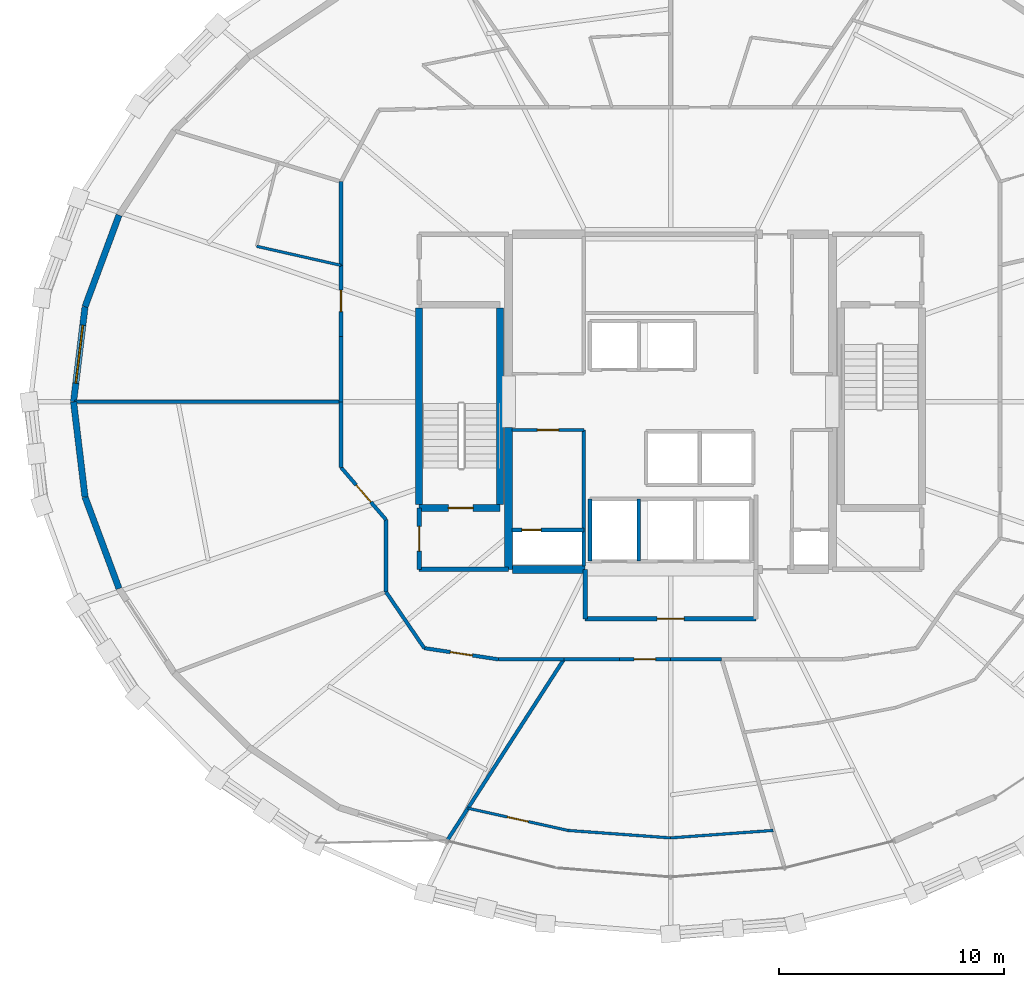
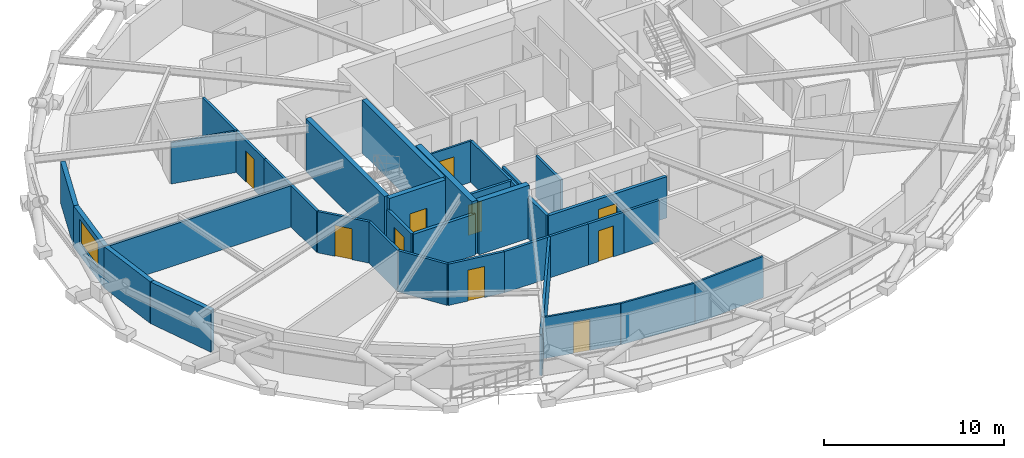
# One storey, part 14 of 21: 36 walls, 10 doors, 1 window, 11 openings.
"""IFC4 building model written with IfcOpenShell, lengths in metres."""

from ifc_helpers import new_model, si_unit, direction, frame, frame_2d, origin, place, context, subcontext, project, spatial, rectangle, extrude, material, layer, layer_set, type_object, element, fill, save


model = new_model("IFC4")

# Units and contexts
model_context = context("Model", 3, precision=1e-05, world=origin(), true_north=direction((0.0, 1.0)))
body_context = subcontext(model_context, "Body", "Model", "MODEL_VIEW")
ifc_project = project(units=[si_unit("LENGTHUNIT", "METRE"), si_unit("AREAUNIT", "SQUARE_METRE"), si_unit("VOLUMEUNIT", "CUBIC_METRE"), si_unit("PLANEANGLEUNIT", "RADIAN"), si_unit("MASSUNIT", "GRAM", prefix="KILO")], contexts=[model_context])

# Site, building, storey
site_placement = place(None, origin())
site = spatial("IfcSite", under=ifc_project, at=site_placement, CompositionType="ELEMENT")
building_placement = place(site_placement, origin())
building = spatial("IfcBuilding", under=site, at=building_placement, Name="Veldorina Hangang Commons", CompositionType="ELEMENT")
storey_placement = place(building_placement, frame((0.0, 0.0, 135.199951171875)))
storey = spatial("IfcBuildingStorey", under=building, at=storey_placement, Name="L34", CompositionType="ELEMENT", Elevation=135.199951171875)

# Walls
ifc_material_1 = material(Name="Concrete C60/75", Category="concrete")
ifc_layer_1 = layer(ifc_material_1, 0.360107421875)
ifc_layer_set_1 = layer_set([ifc_layer_1], Name="Concrete C60/75")
wall_type_1 = type_object("IfcWallType", Name="CW-RC360-C60", PredefinedType="SHEAR", material=ifc_layer_set_1)
wall_1_placement = place(storey_placement, frame((24.800048828125, 16.550048828125, 0.0), z_axis=(0.0, 0.0, 1.0), x_axis=(0.0, 1.0, 0.0)))
element("IfcWall", 1, at=wall_1_placement, inside=storey, type_object=wall_type_1, Name="L34 W south core shear wall", PredefinedType="SHEAR", context=body_context, shape_type="SweptSolid", body=[
    extrude(rectangle(XDim=6.300048828125, YDim=0.360107421875, at=frame_2d((3.14990234375, 0.0))), origin(), (0.0, 0.0, 1.0), 3.60009765625),
])
wall_2_placement = place(storey_placement, frame((24.97998046875, 16.550048828125, 0.0), z_axis=(0.0, 0.0, 1.0), x_axis=(1.0, 0.0, 0.0)))
element("IfcWall", 2, at=wall_2_placement, inside=storey, type_object=wall_type_1, Name="L34 south-west core shear wall", PredefinedType="SHEAR", context=body_context, shape_type="SweptSolid", body=[
    extrude(rectangle(XDim=3.219970703125, YDim=0.360107421875, at=frame_2d((1.60986328125, 0.0))), origin(), (0.0, 0.0, 1.0), 3.60009765625),
])
ifc_material_2 = material(Name="Stone Roman Travertine", Category="masonry")
ifc_layer_2 = layer(ifc_material_2, 0.280029296875)
ifc_layer_set_2 = layer_set([ifc_layer_2], Name="Stone Roman Travertine")
wall_type_2 = type_object("IfcWallType", Name="EW-TRAV-280", PredefinedType="STANDARD", material=ifc_layer_set_2)
wall_3_placement = place(storey_placement, frame((7.47900390625, 32.30078125, 0.0), z_axis=(0.0, 0.0, 1.0), x_axis=(-0.347959140817, -0.937509699321, 0.0)))
element("IfcWall", 3, at=wall_3_placement, inside=storey, type_object=wall_type_2, Name="L34 travertine facade wall 14", PredefinedType="STANDARD", context=body_context, shape_type="SweptSolid", body=[
    extrude(rectangle(XDim=4.34033203125, YDim=0.280029296875, at=frame_2d((2.170166015625, 0.0))), origin(), (0.0, 0.0, 1.0), 2.820068359375),
])

# Wall, opening, window
wall_4_placement = place(storey_placement, frame((5.96875, 28.231689453125, 0.0), z_axis=(0.0, 0.0, 1.0), x_axis=(-0.119655655781, -0.992815453163, 0.0)))
wall_4 = element("IfcWall", 4, at=wall_4_placement, inside=storey, type_object=wall_type_2, Name="L34 travertine facade wall 15", PredefinedType="STANDARD", context=body_context, shape_type="SweptSolid", body=[
    extrude(rectangle(XDim=4.26220703125, YDim=0.280029296875, at=frame_2d((2.131103515625, 0.0))), origin(), (0.0, 0.0, 1.0), 2.820068359375),
])
opening_1_placement = place(wall_4_placement, frame((0.831298828125, 0.0, 0.800048828125)))
opening_1 = element("IfcOpeningElement", 5, at=opening_1_placement, cuts=wall_4, Name="Opening W-02", PredefinedType="OPENING", context=body_context, shape_type="SweptSolid", body=[
    extrude(rectangle(XDim=2.60009765625, YDim=1.64990234375, at=frame_2d((1.300048828125, 0.824951171875))), frame((0.0, 0.14990234375, 0.0), z_axis=(0.0, -1.0, 0.0), x_axis=(1.0, 0.0, 0.0)), (0.0, 0.0, 1.0), 0.300048828125),
])
ifc_material_3 = material(Name="Glass Low-E Triple IGU", Category="glass")
window_type = type_object("IfcWindowType", Name="WIN-TWR-2600", PartitioningType="SINGLE_PANEL", PredefinedType="WINDOW", material=ifc_material_3)
window_placement = place(opening_1_placement, origin())
window = element("IfcWindow", 6, at=window_placement, inside=storey, type_object=window_type, Name="L34 facade window 15", OverallHeight=1.64990234375, OverallWidth=2.60009765625, PartitioningType="SINGLE_PANEL", PredefinedType="WINDOW", context=body_context, shape_type="SweptSolid", body=[
    extrude(rectangle(XDim=2.60009765625, YDim=1.64990234375, at=frame_2d((1.300048828125, 0.824951171875))), frame((0.0, 0.030029296875, 0.0), z_axis=(0.0, -1.0, 0.0), x_axis=(1.0, 0.0, 0.0)), (0.0, 0.0, 1.0), 0.06005859375),
])
fill(opening_1, window)

# Walls
wall_5_placement = place(storey_placement, frame((5.458740234375, 24.0, 0.0), z_axis=(0.0, 0.0, 1.0), x_axis=(0.119655655781, -0.992815453163, 0.0)))
element("IfcWall", 7, at=wall_5_placement, inside=storey, type_object=wall_type_2, Name="L34 travertine facade wall 16", PredefinedType="STANDARD", context=body_context, shape_type="SweptSolid", body=[
    extrude(rectangle(XDim=4.26220703125, YDim=0.280029296875, at=frame_2d((2.131103515625, 0.0))), origin(), (0.0, 0.0, 1.0), 2.820068359375),
])
wall_6_placement = place(storey_placement, frame((5.96875, 19.768310546875, 0.0), z_axis=(0.0, 0.0, 1.0), x_axis=(0.347959140817, -0.937509699321, 0.0)))
element("IfcWall", 8, at=wall_6_placement, inside=storey, type_object=wall_type_2, Name="L34 travertine facade wall 17", PredefinedType="STANDARD", context=body_context, shape_type="SweptSolid", body=[
    extrude(rectangle(XDim=4.34033203125, YDim=0.280029296875, at=frame_2d((2.170166015625, 0.0))), origin(), (0.0, 0.0, 1.0), 2.820068359375),
])
ifc_material_4 = material(Name="Concrete C50/60", Category="concrete")
ifc_layer_3 = layer(ifc_material_4, 0.300048828125)
ifc_layer_set_3 = layer_set([ifc_layer_3], Name="Concrete C50/60")
wall_type_3 = type_object("IfcWallType", Name="SW-STAIR-300", PredefinedType="SHEAR", material=ifc_layer_set_3)
for number, where, z_axis, x_axis, name in (
    (9, (20.820068359375, 19.429931640625, 0.0), (0.0, 0.0, 1.0), (0.0, 1.0, 0.0), "L34 ST1 outer stair shear wall"),
    (10, (24.419921875, 19.429931640625, 0.0), (0.0, 0.0, 1.0), (0.0, 1.0, 0.0), "L34 ST1 inner stair shear wall"),
):
    element("IfcWall", number, at=place(storey_placement, frame(where, z_axis=z_axis, x_axis=x_axis)), inside=storey, type_object=wall_type_3, Name=name, PredefinedType="SHEAR", context=body_context, shape_type="SweptSolid", body=[
        extrude(rectangle(XDim=8.739990234375, YDim=0.300048828125, at=frame_2d((4.3701171875, 0.0))), origin(), (0.0, 0.0, 1.0), 3.60009765625),
    ])

# Wall, opening, door
wall_7_placement = place(storey_placement, frame((20.820068359375, 19.280029296875, 0.0), z_axis=(0.0, 0.0, 1.0), x_axis=(1.0, 0.0, 0.0)))
wall_7 = element("IfcWall", 11, at=wall_7_placement, inside=storey, type_object=wall_type_3, Name="L34 ST1 south stair shear wall", PredefinedType="SHEAR", context=body_context, shape_type="SweptSolid", body=[
    extrude(rectangle(XDim=3.599853515625, YDim=0.300048828125, at=frame_2d((1.7998046875, 0.0))), origin(), (0.0, 0.0, 1.0), 3.60009765625),
])
opening_2_placement = place(wall_7_placement, frame((1.300048828125, 0.0, 0.0)))
opening_2 = element("IfcOpeningElement", 12, at=opening_2_placement, cuts=wall_7, Name="Opening D-08", PredefinedType="OPENING", context=body_context, shape_type="SweptSolid", body=[
    extrude(rectangle(XDim=1.10009765625, YDim=2.10009765625, at=frame_2d((0.550048828125, 1.050048828125))), frame((0.0, 0.16015625, 0.0), z_axis=(0.0, -1.0, 0.0), x_axis=(1.0, 0.0, 0.0)), (0.0, 0.0, 1.0), 0.320068359375),
])
ifc_material_5 = material(Name="Steel Fire-Rated Smoke Seal", Category="steel")
door_type_1 = type_object("IfcDoorType", Name="DR-FIRE-1100", OperationType="SINGLE_SWING_RIGHT", PredefinedType="DOOR", material=ifc_material_5)
door_1_placement = place(opening_2_placement, origin())
door_1 = element("IfcDoor", 13, at=door_1_placement, inside=storey, type_object=door_type_1, Name="L34 Special Escape Stair ST-1 door", OperationType="SINGLE_SWING_LEFT", OverallHeight=2.10009765625, OverallWidth=1.10009765625, PredefinedType="DOOR", context=body_context, shape_type="SweptSolid", body=[
    extrude(rectangle(XDim=1.10009765625, YDim=2.10009765625, at=frame_2d((0.550048828125, 1.050048828125))), frame((0.0, 0.02490234375, 0.0), z_axis=(0.0, -1.0, 0.0), x_axis=(1.0, 0.0, 0.0)), (0.0, 0.0, 1.0), 0.050048828125),
])
fill(opening_2, door_1)

# Walls
ifc_material_6 = material(Name="Gypsum Fire-Rated Twin Stud Wall", Category="gypsum")
ifc_layer_4 = layer(ifc_material_6, 0.159912109375)
ifc_layer_set_4 = layer_set([ifc_layer_4], Name="Gypsum Fire-Rated Twin Stud Wall")
wall_type_4 = type_object("IfcWallType", Name="WL-FIRE-160", PredefinedType="SOLIDWALL", material=ifc_layer_set_4)
for number, where, z_axis, x_axis, name in (
    (14, (28.419921875, 16.919921875, 0.0), (0.0, 0.0, 1.0), (0.0, 1.0, 0.0), "L34 FFL-1 west shaft wall 027"),
    (15, (30.580078125, 16.919921875, 0.0), (0.0, 0.0, 1.0), (0.0, 1.0, 0.0), "L34 FFL-1 east shaft wall 028"),
):
    element("IfcWall", number, at=place(storey_placement, frame(where, z_axis=z_axis, x_axis=x_axis)), inside=storey, type_object=wall_type_4, Name=name, PredefinedType="SOLIDWALL", context=body_context, shape_type="SweptSolid", body=[
        extrude(rectangle(XDim=2.760009765625, YDim=0.159912109375, at=frame_2d((1.3798828125, 0.0))), origin(), (0.0, 0.0, 1.0), 2.800048828125),
    ])

# Wall, opening, door
wall_8_placement = place(storey_placement, frame((24.949951171875, 18.300048828125, 0.0), z_axis=(0.0, 0.0, 1.0), x_axis=(1.0, 0.0, 0.0)))
wall_8 = element("IfcWall", 16, at=wall_8_placement, inside=storey, type_object=wall_type_4, Name="L34 Electrical riser wall 034", PredefinedType="SOLIDWALL", context=body_context, shape_type="SweptSolid", body=[
    extrude(rectangle(XDim=3.199951171875, YDim=0.159912109375, at=frame_2d((1.60009765625, 0.0))), origin(), (0.0, 0.0, 1.0), 2.800048828125),
])
opening_3_placement = place(wall_8_placement, frame((0.43994140625, 0.0, 0.0)))
opening_3 = element("IfcOpeningElement", 17, at=opening_3_placement, cuts=wall_8, Name="Opening D-12", PredefinedType="OPENING", context=body_context, shape_type="SweptSolid", body=[
    extrude(rectangle(XDim=0.860107421875, YDim=2.050048828125, at=frame_2d((0.43017578125, 1.02490234375))), frame((0.0, 0.08984375, 0.0), z_axis=(0.0, -1.0, 0.0), x_axis=(1.0, 0.0, 0.0)), (0.0, 0.0, 1.0), 0.179931640625),
])
ifc_material_7 = material(Name="Steel Insulated Riser Access", Category="steel")
door_type_2 = type_object("IfcDoorType", Name="DR-TRAP-860", OperationType="SINGLE_SWING_LEFT", PredefinedType="TRAPDOOR", material=ifc_material_7)
door_2_placement = place(opening_3_placement, origin())
door_2 = element("IfcDoor", 18, at=door_2_placement, inside=storey, type_object=door_type_2, Name="L34 Electrical riser access door 012", OperationType="SINGLE_SWING_RIGHT", OverallHeight=2.050048828125, OverallWidth=0.860107421875, PredefinedType="TRAPDOOR", context=body_context, shape_type="SweptSolid", body=[
    extrude(rectangle(XDim=0.860107421875, YDim=2.050048828125, at=frame_2d((0.43017578125, 1.02490234375))), frame((0.0, 0.02490234375, 0.0), z_axis=(0.0, -1.0, 0.0), x_axis=(1.0, 0.0, 0.0)), (0.0, 0.0, 1.0), 0.050048828125),
])
fill(opening_3, door_2)

# Walls
wall_9_placement = place(storey_placement, frame((28.14990234375, 16.699951171875, 0.0), z_axis=(0.0, 0.0, 1.0), x_axis=(0.0, 1.0, 0.0)))
element("IfcWall", 19, at=wall_9_placement, inside=storey, type_object=wall_type_4, Name="L34 SW core inner wall 035", PredefinedType="SOLIDWALL", context=body_context, shape_type="SweptSolid", body=[
    extrude(rectangle(XDim=6.050048828125, YDim=0.159912109375, at=frame_2d((3.02490234375, 0.0))), origin(), (0.0, 0.0, 1.0), 2.800048828125),
])
wall_10_placement = place(storey_placement, frame((17.35009765625, 33.788818359375, 0.0), z_axis=(0.0, 0.0, 1.0), x_axis=(0.0, -1.0, 0.0)))
element("IfcWall", 20, at=wall_10_placement, inside=storey, type_object=wall_type_4, Name="L34 U-corridor outer wall 13 057", PredefinedType="SOLIDWALL", context=body_context, shape_type="SweptSolid", body=[
    extrude(rectangle(XDim=3.720703125, YDim=0.159912109375, at=frame_2d((1.8603515625, 0.0))), origin(), (0.0, 0.0, 1.0), 2.800048828125),
])

# Wall, opening, door
wall_11_placement = place(storey_placement, frame((17.35009765625, 30.068115234375, 0.0), z_axis=(0.0, 0.0, 1.0), x_axis=(0.0, -1.0, 0.0)))
wall_11 = element("IfcWall", 21, at=wall_11_placement, inside=storey, type_object=wall_type_4, Name="L34 U-corridor outer wall 14 058", PredefinedType="SOLIDWALL", context=body_context, shape_type="SweptSolid", body=[
    extrude(rectangle(XDim=3.154052734375, YDim=0.159912109375, at=frame_2d((1.5771484375, 0.0))), origin(), (0.0, 0.0, 1.0), 2.800048828125),
])
opening_4_placement = place(wall_11_placement, frame((1.10205078125, 0.0, 0.0)))
opening_4 = element("IfcOpeningElement", 22, at=opening_4_placement, cuts=wall_11, Name="Opening D-03", PredefinedType="OPENING", context=body_context, shape_type="SweptSolid", body=[
    extrude(rectangle(XDim=0.949951171875, YDim=2.10009765625, at=frame_2d((0.47509765625, 1.050048828125))), frame((0.0, 0.08984375, 0.0), z_axis=(0.0, -1.0, 0.0), x_axis=(1.0, 0.0, 0.0)), (0.0, 0.0, 1.0), 0.179931640625),
])
ifc_material_8 = material(Name="Timber Fire-Rated Entrance Core", Category="wood")
door_type_3 = type_object("IfcDoorType", Name="DR-UNIT-950", OperationType="SINGLE_SWING_RIGHT", PredefinedType="DOOR", material=ifc_material_8)
door_3_placement = place(opening_4_placement, origin())
door_3 = element("IfcDoor", 23, at=door_3_placement, inside=storey, type_object=door_type_3, Name="L34 Studio 7 entrance door 037", OperationType="SINGLE_SWING_LEFT", OverallHeight=2.10009765625, OverallWidth=0.949951171875, PredefinedType="DOOR", context=body_context, shape_type="SweptSolid", body=[
    extrude(rectangle(XDim=0.949951171875, YDim=2.10009765625, at=frame_2d((0.47509765625, 1.050048828125))), frame((0.0, 0.02490234375, 0.0), z_axis=(0.0, -1.0, 0.0), x_axis=(1.0, 0.0, 0.0)), (0.0, 0.0, 1.0), 0.050048828125),
])
fill(opening_4, door_3)

# Walls
for number, where, z_axis, x_axis, name in (
    (24, (17.35009765625, 26.9140625, 0.0), (0.0, 0.0, 1.0), (0.0, -1.0, 0.0), "L34 U-corridor outer wall 15 059"),
    (25, (17.35009765625, 24.0, 0.0), (0.0, 0.0, 1.0), (0.0, -1.0, 0.0), "L34 U-corridor outer wall 16 060"),
):
    element("IfcWall", number, at=place(storey_placement, frame(where, z_axis=z_axis, x_axis=x_axis)), inside=storey, type_object=wall_type_4, Name=name, PredefinedType="SOLIDWALL", context=body_context, shape_type="SweptSolid", body=[
        extrude(rectangle(XDim=2.9140625, YDim=0.159912109375, at=frame_2d((1.45703125, 0.0))), origin(), (0.0, 0.0, 1.0), 2.800048828125),
    ])

# Wall, opening, door
wall_12_placement = place(storey_placement, frame((17.35009765625, 21.0859375, 0.0), z_axis=(0.0, 0.0, 1.0), x_axis=(0.652022797448, -0.758199361388, 0.0)))
wall_12 = element("IfcWall", 26, at=wall_12_placement, inside=storey, type_object=wall_type_4, Name="L34 U-corridor outer wall 17 061", PredefinedType="SOLIDWALL", context=body_context, shape_type="SweptSolid", body=[
    extrude(rectangle(XDim=3.0673828125, YDim=0.159912109375, at=frame_2d((1.53369140625, 0.0))), origin(), (0.0, 0.0, 1.0), 2.800048828125),
])
opening_5_placement = place(wall_12_placement, frame((1.03369140625, 0.0, 0.0)))
opening_5 = element("IfcOpeningElement", 27, at=opening_5_placement, cuts=wall_12, Name="Opening D-05", PredefinedType="OPENING", context=body_context, shape_type="SweptSolid", body=[
    extrude(rectangle(XDim=1.0, YDim=2.10009765625, at=frame_2d((0.5, 1.050048828125))), frame((0.0, 0.08984375, 0.0), z_axis=(0.0, -1.0, 0.0), x_axis=(1.0, 0.0, 0.0)), (0.0, 0.0, 1.0), 0.179931640625),
])
ifc_material_9 = material(Name="Timber Solid Core Acoustic", Category="wood")
door_type_4 = type_object("IfcDoorType", Name="DR-INT-1000", OperationType="SINGLE_SWING_RIGHT", PredefinedType="DOOR", material=ifc_material_9)
door_4_placement = place(opening_5_placement, origin())
door_4 = element("IfcDoor", 28, at=door_4_placement, inside=storey, type_object=door_type_4, Name="L34 Floor Study Room 8 door 038", OperationType="SINGLE_SWING_RIGHT", OverallHeight=2.10009765625, OverallWidth=1.0, PredefinedType="DOOR", context=body_context, shape_type="SweptSolid", body=[
    extrude(rectangle(XDim=1.0, YDim=2.10009765625, at=frame_2d((0.5, 1.050048828125))), frame((0.0, 0.02490234375, 0.0), z_axis=(0.0, -1.0, 0.0), x_axis=(1.0, 0.0, 0.0)), (0.0, 0.0, 1.0), 0.050048828125),
])
fill(opening_5, door_4)

# Walls
wall_13_placement = place(storey_placement, frame((19.35009765625, 18.76025390625, 0.0), z_axis=(0.0, 0.0, 1.0), x_axis=(0.0, -1.0, 0.0)))
element("IfcWall", 29, at=wall_13_placement, inside=storey, type_object=wall_type_4, Name="L34 U-corridor outer wall 18 062", PredefinedType="SOLIDWALL", context=body_context, shape_type="SweptSolid", body=[
    extrude(rectangle(XDim=3.212646484375, YDim=0.159912109375, at=frame_2d((1.6064453125, 0.0))), origin(), (0.0, 0.0, 1.0), 2.800048828125),
])
wall_14_placement = place(storey_placement, frame((19.35009765625, 15.547607421875, 0.0), z_axis=(0.0, 0.0, 1.0), x_axis=(0.562674669208, -0.826678423955, 0.0)))
element("IfcWall", 30, at=wall_14_placement, inside=storey, type_object=wall_type_4, Name="L34 U-corridor outer wall 19 063", PredefinedType="SOLIDWALL", context=body_context, shape_type="SweptSolid", body=[
    extrude(rectangle(XDim=3.021240234375, YDim=0.159912109375, at=frame_2d((1.5107421875, 0.0))), origin(), (0.0, 0.0, 1.0), 2.800048828125),
])

# Wall, opening, door
wall_15_placement = place(storey_placement, frame((21.050048828125, 13.050048828125, 0.0), z_axis=(0.0, 0.0, 1.0), x_axis=(0.988710906508, -0.149835721217, 0.0)))
wall_15 = element("IfcWall", 31, at=wall_15_placement, inside=storey, type_object=wall_type_4, Name="L34 U-corridor outer wall 20 064", PredefinedType="SOLIDWALL", context=body_context, shape_type="SweptSolid", body=[
    extrude(rectangle(XDim=3.3369140625, YDim=0.159912109375, at=frame_2d((1.66845703125, 0.0))), origin(), (0.0, 0.0, 1.0), 2.800048828125),
])
opening_6_placement = place(wall_15_placement, frame((1.16845703125, 0.0, 0.0)))
opening_6 = element("IfcOpeningElement", 32, at=opening_6_placement, cuts=wall_15, Name="Opening D-05", PredefinedType="OPENING", context=body_context, shape_type="SweptSolid", body=[
    extrude(rectangle(XDim=1.0, YDim=2.10009765625, at=frame_2d((0.5, 1.050048828125))), frame((0.0, 0.08984375, 0.0), z_axis=(0.0, -1.0, 0.0), x_axis=(1.0, 0.0, 0.0)), (0.0, 0.0, 1.0), 0.179931640625),
])
door_5_placement = place(opening_6_placement, origin())
door_5 = element("IfcDoor", 33, at=door_5_placement, inside=storey, type_object=door_type_4, Name="L34 Floor Study Room 9 door 039", OperationType="SINGLE_SWING_LEFT", OverallHeight=2.10009765625, OverallWidth=1.0, PredefinedType="DOOR", context=body_context, shape_type="SweptSolid", body=[
    extrude(rectangle(XDim=1.0, YDim=2.10009765625, at=frame_2d((0.5, 1.050048828125))), frame((0.0, 0.02490234375, 0.0), z_axis=(0.0, -1.0, 0.0), x_axis=(1.0, 0.0, 0.0)), (0.0, 0.0, 1.0), 0.050048828125),
])
fill(opening_6, door_5)

# Walls
wall_16_placement = place(storey_placement, frame((24.349365234375, 12.550048828125, 0.0), z_axis=(0.0, 0.0, 1.0), x_axis=(1.0, 0.0, 0.0)))
element("IfcWall", 34, at=wall_16_placement, inside=storey, type_object=wall_type_4, Name="L34 U-corridor outer wall 21 065", PredefinedType="SOLIDWALL", context=body_context, shape_type="SweptSolid", body=[
    extrude(rectangle(XDim=2.907958984375, YDim=0.159912109375, at=frame_2d((1.4541015625, 0.0))), origin(), (0.0, 0.0, 1.0), 2.800048828125),
])
wall_17_placement = place(storey_placement, frame((27.25732421875, 12.550048828125, 0.0), z_axis=(0.0, 0.0, 1.0), x_axis=(1.0, 0.0, 0.0)))
element("IfcWall", 35, at=wall_17_placement, inside=storey, type_object=wall_type_4, Name="L34 U-corridor outer wall 22 066", PredefinedType="SOLIDWALL", context=body_context, shape_type="SweptSolid", body=[
    extrude(rectangle(XDim=2.465087890625, YDim=0.159912109375, at=frame_2d((1.232421875, 0.0))), origin(), (0.0, 0.0, 1.0), 2.800048828125),
])

# Wall, opening, door
wall_18_placement = place(storey_placement, frame((29.722412109375, 12.550048828125, 0.0), z_axis=(0.0, 0.0, 1.0), x_axis=(1.0, 0.0, 0.0)))
wall_18 = element("IfcWall", 36, at=wall_18_placement, inside=storey, type_object=wall_type_4, Name="L34 U-corridor outer wall 23 067", PredefinedType="SOLIDWALL", context=body_context, shape_type="SweptSolid", body=[
    extrude(rectangle(XDim=2.277587890625, YDim=0.159912109375, at=frame_2d((1.138671875, 0.0))), origin(), (0.0, 0.0, 1.0), 2.800048828125),
])
opening_7_placement = place(wall_18_placement, frame((0.663818359375, 0.0, 0.0)))
opening_7 = element("IfcOpeningElement", 37, at=opening_7_placement, cuts=wall_18, Name="Opening D-02", PredefinedType="OPENING", context=body_context, shape_type="SweptSolid", body=[
    extrude(rectangle(XDim=0.949951171875, YDim=2.10009765625, at=frame_2d((0.47509765625, 1.050048828125))), frame((0.0, 0.08984375, 0.0), z_axis=(0.0, -1.0, 0.0), x_axis=(1.0, 0.0, 0.0)), (0.0, 0.0, 1.0), 0.179931640625),
])
door_type_5 = type_object("IfcDoorType", Name="DR-INT-950", OperationType="SINGLE_SWING_LEFT", PredefinedType="DOOR", material=ifc_material_9)
door_6_placement = place(opening_7_placement, origin())
door_6 = element("IfcDoor", 38, at=door_6_placement, inside=storey, type_object=door_type_5, Name="L34 Linen drying store door 040", OperationType="SINGLE_SWING_RIGHT", OverallHeight=2.10009765625, OverallWidth=0.949951171875, PredefinedType="DOOR", context=body_context, shape_type="SweptSolid", body=[
    extrude(rectangle(XDim=0.949951171875, YDim=2.10009765625, at=frame_2d((0.47509765625, 1.050048828125))), frame((0.0, 0.02490234375, 0.0), z_axis=(0.0, -1.0, 0.0), x_axis=(1.0, 0.0, 0.0)), (0.0, 0.0, 1.0), 0.050048828125),
])
fill(opening_7, door_6)

# Walls
wall_19_placement = place(storey_placement, frame((32.0, 12.550048828125, 0.0), z_axis=(0.0, 0.0, 1.0), x_axis=(1.0, 0.0, 0.0)))
element("IfcWall", 39, at=wall_19_placement, inside=storey, type_object=wall_type_4, Name="L34 U-corridor outer wall 24 068", PredefinedType="SOLIDWALL", context=body_context, shape_type="SweptSolid", body=[
    extrude(rectangle(XDim=2.277587890625, YDim=0.159912109375, at=frame_2d((1.138671875, 0.0))), origin(), (0.0, 0.0, 1.0), 2.800048828125),
])
wall_20_placement = place(storey_placement, frame((17.35009765625, 24.0, 0.0), z_axis=(0.0, 0.0, 1.0), x_axis=(-1.0, 0.0, 0.0)))
element("IfcWall", 40, at=wall_20_placement, inside=storey, type_object=wall_type_4, Name="L34 Unit party wall 16 109", PredefinedType="SOLIDWALL", context=body_context, shape_type="SweptSolid", body=[
    extrude(rectangle(XDim=11.84130859375, YDim=0.159912109375, at=frame_2d((5.920654296875, 0.0))), origin(), (0.0, 0.0, 1.0), 2.800048828125),
])
wall_21_placement = place(storey_placement, frame((27.25732421875, 12.550048828125, 0.0), z_axis=(0.0, 0.0, 1.0), x_axis=(-0.541525955259, -0.840684030882, 0.0)))
element("IfcWall", 41, at=wall_21_placement, inside=storey, type_object=wall_type_4, Name="L34 Unit party wall 22 111", PredefinedType="SOLIDWALL", context=body_context, shape_type="SweptSolid", body=[
    extrude(rectangle(XDim=9.55224609375, YDim=0.159912109375, at=frame_2d((4.776123046875, 0.0))), origin(), (0.0, 0.0, 1.0), 2.800048828125),
])

# Wall, opening, door
ifc_material_10 = material(Name="Concrete Blockwork Fire Wall C30/37", Category="masonry")
ifc_layer_5 = layer(ifc_material_10, 0.199951171875)
ifc_layer_set_5 = layer_set([ifc_layer_5], Name="Concrete Blockwork Fire Wall C30/37")
wall_type_5 = type_object("IfcWallType", Name="WL-FIRE-200", PredefinedType="SOLIDWALL", material=ifc_layer_set_5)
wall_22_placement = place(storey_placement, frame((20.820068359375, 16.550048828125, 0.0), z_axis=(0.0, 0.0, 1.0), x_axis=(0.0, 1.0, 0.0)))
wall_22 = element("IfcWall", 42, at=wall_22_placement, inside=storey, type_object=wall_type_5, Name="L34 West vestibule outer wall 001", PredefinedType="SOLIDWALL", context=body_context, shape_type="SweptSolid", body=[
    extrude(rectangle(XDim=2.72998046875, YDim=0.199951171875, at=frame_2d((1.364990234375, 0.0))), origin(), (0.0, 0.0, 1.0), 2.800048828125),
])
opening_8_placement = place(wall_22_placement, frame((0.81494140625, 0.0, 0.0)))
opening_8 = element("IfcOpeningElement", 43, at=opening_8_placement, cuts=wall_22, Name="Opening D-08", PredefinedType="OPENING", context=body_context, shape_type="SweptSolid", body=[
    extrude(rectangle(XDim=1.10009765625, YDim=2.10009765625, at=frame_2d((0.550048828125, 1.050048828125))), frame((0.0, 0.10986328125, 0.0), z_axis=(0.0, -1.0, 0.0), x_axis=(1.0, 0.0, 0.0)), (0.0, 0.0, 1.0), 0.219970703125),
])
door_7_placement = place(opening_8_placement, origin())
door_7 = element("IfcDoor", 44, at=door_7_placement, inside=storey, type_object=door_type_1, Name="L34 West vestibule west door 001", OperationType="SINGLE_SWING_LEFT", OverallHeight=2.10009765625, OverallWidth=1.10009765625, PredefinedType="DOOR", context=body_context, shape_type="SweptSolid", body=[
    extrude(rectangle(XDim=1.10009765625, YDim=2.10009765625, at=frame_2d((0.550048828125, 1.050048828125))), frame((0.0, 0.02490234375, 0.0), z_axis=(0.0, -1.0, 0.0), x_axis=(1.0, 0.0, 0.0)), (0.0, 0.0, 1.0), 0.050048828125),
])
fill(opening_8, door_7)

# Walls
wall_23_placement = place(storey_placement, frame((20.820068359375, 16.550048828125, 0.0), z_axis=(0.0, 0.0, 1.0), x_axis=(1.0, 0.0, 0.0)))
element("IfcWall", 45, at=wall_23_placement, inside=storey, type_object=wall_type_5, Name="L34 West vestibule south wall 002", PredefinedType="SOLIDWALL", context=body_context, shape_type="SweptSolid", body=[
    extrude(rectangle(XDim=3.97998046875, YDim=0.199951171875, at=frame_2d((1.989990234375, 0.0))), origin(), (0.0, 0.0, 1.0), 2.800048828125),
])
wall_24_placement = place(storey_placement, frame((28.199951171875, 14.35009765625, 0.0), z_axis=(0.0, 0.0, 1.0), x_axis=(0.0, 1.0, 0.0)))
element("IfcWall", 46, at=wall_24_placement, inside=storey, type_object=wall_type_5, Name="L34 FF lobby west wall 012", PredefinedType="SOLIDWALL", context=body_context, shape_type="SweptSolid", body=[
    extrude(rectangle(XDim=2.199951171875, YDim=0.199951171875, at=frame_2d((1.10009765625, 0.0))), origin(), (0.0, 0.0, 1.0), 2.800048828125),
])

# Wall, opening, door
wall_25_placement = place(storey_placement, frame((28.199951171875, 14.35009765625, 0.0), z_axis=(0.0, 0.0, 1.0), x_axis=(1.0, 0.0, 0.0)))
wall_25 = element("IfcWall", 47, at=wall_25_placement, inside=storey, type_object=wall_type_5, Name="L34 FF lobby south wall 014", PredefinedType="SOLIDWALL", context=body_context, shape_type="SweptSolid", body=[
    extrude(rectangle(XDim=7.60009765625, YDim=0.199951171875, at=frame_2d((3.800048828125, 0.0))), origin(), (0.0, 0.0, 1.0), 2.800048828125),
])
opening_9_placement = place(wall_25_placement, frame((3.199951171875, 0.0, 0.0)))
opening_9 = element("IfcOpeningElement", 48, at=opening_9_placement, cuts=wall_25, Name="Opening D-09", PredefinedType="OPENING", context=body_context, shape_type="SweptSolid", body=[
    extrude(rectangle(XDim=1.199951171875, YDim=2.10009765625, at=frame_2d((0.60009765625, 1.050048828125))), frame((0.0, 0.10986328125, 0.0), z_axis=(0.0, -1.0, 0.0), x_axis=(1.0, 0.0, 0.0)), (0.0, 0.0, 1.0), 0.219970703125),
])
ifc_material_11 = material(Name="Steel Fire-Rated Corridor Door", Category="steel")
door_type_6 = type_object("IfcDoorType", Name="DR-FIRE-1200", OperationType="SINGLE_SWING_LEFT", PredefinedType="DOOR", material=ifc_material_11)
door_8_placement = place(opening_9_placement, origin())
door_8 = element("IfcDoor", 49, at=door_8_placement, inside=storey, type_object=door_type_6, Name="L34 FF lobby south corridor door 005", OperationType="SINGLE_SWING_LEFT", OverallHeight=2.10009765625, OverallWidth=1.199951171875, PredefinedType="DOOR", context=body_context, shape_type="SweptSolid", body=[
    extrude(rectangle(XDim=1.199951171875, YDim=2.10009765625, at=frame_2d((0.60009765625, 1.050048828125))), frame((0.0, 0.02490234375, 0.0), z_axis=(0.0, -1.0, 0.0), x_axis=(1.0, 0.0, 0.0)), (0.0, 0.0, 1.0), 0.050048828125),
])
fill(opening_9, door_8)

ifc_material_12 = material(Name="Gypsum Acoustic Stud Partition", Category="gypsum")
ifc_layer_6 = layer(ifc_material_12, 0.1201171875)
ifc_layer_set_6 = layer_set([ifc_layer_6], Name="Gypsum Acoustic Stud Partition")
wall_type_6 = type_object("IfcWallType", Name="WL-PART-120", PredefinedType="PARTITIONING", material=ifc_layer_set_6)
wall_26_placement = place(storey_placement, frame((24.949951171875, 22.75, 0.0), z_axis=(0.0, 0.0, 1.0), x_axis=(1.0, 0.0, 0.0)))
wall_26 = element("IfcWall", 50, at=wall_26_placement, inside=storey, type_object=wall_type_6, Name="L34 SW service north wall 039", PredefinedType="PARTITIONING", context=body_context, shape_type="SweptSolid", body=[
    extrude(rectangle(XDim=3.199951171875, YDim=0.1201171875, at=frame_2d((1.60009765625, 0.0))), origin(), (0.0, 0.0, 1.0), 2.800048828125),
])
opening_10_placement = place(wall_26_placement, frame((1.125, 0.0, 0.0)))
opening_10 = element("IfcOpeningElement", 51, at=opening_10_placement, cuts=wall_26, Name="Opening D-02", PredefinedType="OPENING", context=body_context, shape_type="SweptSolid", body=[
    extrude(rectangle(XDim=0.949951171875, YDim=2.10009765625, at=frame_2d((0.47509765625, 1.050048828125))), frame((0.0, 0.070068359375, 0.0), z_axis=(0.0, -1.0, 0.0), x_axis=(1.0, 0.0, 0.0)), (0.0, 0.0, 1.0), 0.14013671875),
])
door_9_placement = place(opening_10_placement, origin())
door_9 = element("IfcDoor", 52, at=door_9_placement, inside=storey, type_object=door_type_5, Name="L34 Refuse hold door 015", OperationType="SINGLE_SWING_LEFT", OverallHeight=2.10009765625, OverallWidth=0.949951171875, PredefinedType="DOOR", context=body_context, shape_type="SweptSolid", body=[
    extrude(rectangle(XDim=0.949951171875, YDim=2.10009765625, at=frame_2d((0.47509765625, 1.050048828125))), frame((0.0, 0.02490234375, 0.0), z_axis=(0.0, -1.0, 0.0), x_axis=(1.0, 0.0, 0.0)), (0.0, 0.0, 1.0), 0.050048828125),
])
fill(opening_10, door_9)

# Wall
wall_27_placement = place(storey_placement, frame((17.35009765625, 30.068115234375, 0.0), z_axis=(0.0, 0.0, 1.0), x_axis=(-0.975363063608, 0.220605743689, 0.0)))
element("IfcWall", 53, at=wall_27_placement, inside=storey, type_object=wall_type_6, Name="L34 Studio 7 bath side wall 108", PredefinedType="PARTITIONING", context=body_context, shape_type="SweptSolid", body=[
    extrude(rectangle(XDim=3.845703125, YDim=0.1201171875, at=frame_2d((1.9228515625, 0.0))), origin(), (0.0, 0.0, 1.0), 2.800048828125),
])

# Wall, opening, door
wall_28_placement = place(storey_placement, frame((22.993408203125, 5.9306640625, 0.0), z_axis=(0.0, 0.0, 1.0), x_axis=(0.976216099938, -0.216799737596, 0.0)))
wall_28 = element("IfcWall", 54, at=wall_28_placement, inside=storey, type_object=wall_type_6, Name="L34 Laundry split 0 112", PredefinedType="PARTITIONING", context=body_context, shape_type="SweptSolid", body=[
    extrude(rectangle(XDim=4.54833984375, YDim=0.1201171875, at=frame_2d((2.274169921875, 0.0))), origin(), (0.0, 0.0, 1.0), 2.800048828125),
])
opening_11_placement = place(wall_28_placement, frame((1.79931640625, 0.0, 0.0)))
opening_11 = element("IfcOpeningElement", 55, at=opening_11_placement, cuts=wall_28, Name="Opening D-02", PredefinedType="OPENING", context=body_context, shape_type="SweptSolid", body=[
    extrude(rectangle(XDim=0.949951171875, YDim=2.10009765625, at=frame_2d((0.47509765625, 1.050048828125))), frame((0.0, 0.070068359375, 0.0), z_axis=(0.0, -1.0, 0.0), x_axis=(1.0, 0.0, 0.0)), (0.0, 0.0, 1.0), 0.14013671875),
])
door_10_placement = place(opening_11_placement, origin())
door_10 = element("IfcDoor", 56, at=door_10_placement, inside=storey, type_object=door_type_5, Name="L34 Resident laundry inner door 041", OperationType="SINGLE_SWING_LEFT", OverallHeight=2.10009765625, OverallWidth=0.949951171875, PredefinedType="DOOR", context=body_context, shape_type="SweptSolid", body=[
    extrude(rectangle(XDim=0.949951171875, YDim=2.10009765625, at=frame_2d((0.47509765625, 1.050048828125))), frame((0.0, 0.02490234375, 0.0), z_axis=(0.0, -1.0, 0.0), x_axis=(1.0, 0.0, 0.0)), (0.0, 0.0, 1.0), 0.050048828125),
])
fill(opening_11, door_10)

# Walls
for number, where, z_axis, x_axis, name in (
    (57, (27.43359375, 4.944580078125, 0.0), (0.0, 0.0, 1.0), (0.99735535591, -0.072679392114, 0.0), "L34 Laundry split 1 113"),
    (58, (32.0, 4.61181640625, 0.0), (0.0, 0.0, 1.0), (0.99735535591, 0.072679392114, 0.0), "L34 Laundry split 2 114"),
):
    element("IfcWall", number, at=place(storey_placement, frame(where, z_axis=z_axis, x_axis=x_axis)), inside=storey, type_object=wall_type_6, Name=name, PredefinedType="PARTITIONING", context=body_context, shape_type="SweptSolid", body=[
        extrude(rectangle(XDim=4.57861328125, YDim=0.1201171875, at=frame_2d((2.289306640625, 0.0))), origin(), (0.0, 0.0, 1.0), 2.800048828125),
    ])

save(model, "model.ifc")
